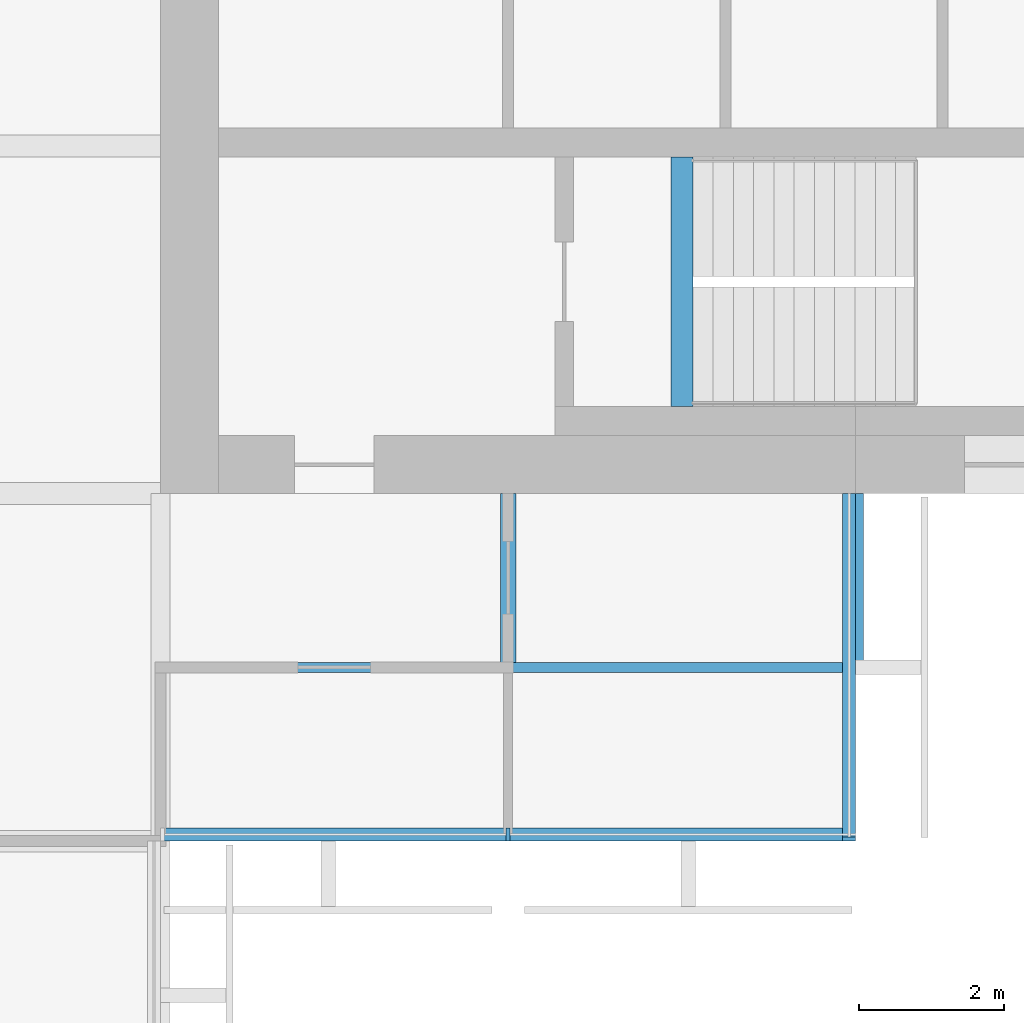
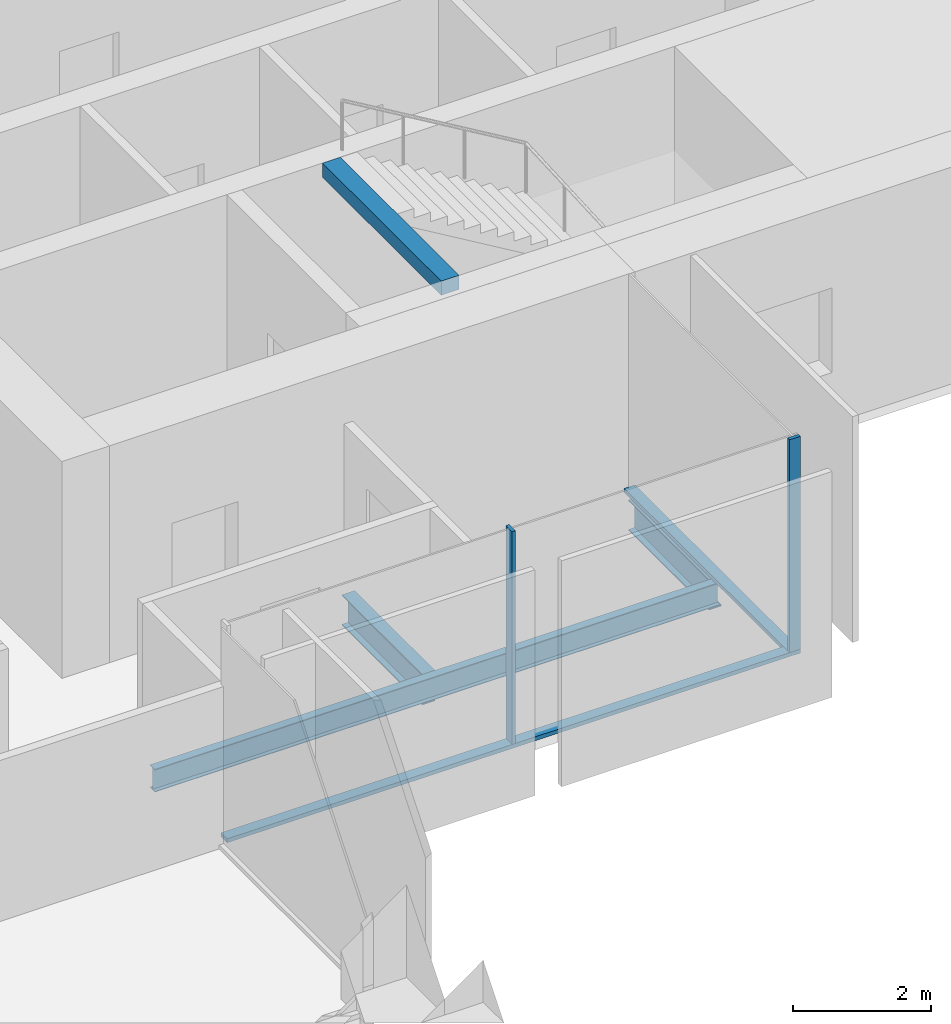
# One storey, part 4 of 13: 4 beams, 4 members, 2 elements without a shape of their own.
"""IFC4 building model written with IfcOpenShell, lengths in metres."""

import ifcopenshell
import ifcopenshell.guid

model = None  # the IFC model being written
_history = None  # IfcOwnerHistory: only IFC2X3 demands one
_inside = {}  # id of a spatial element -> (the spatial element, [elements in it])
_under = {}  # id of a project, library or spatial element -> (it, [spatial elements below it])
_declared = {}  # id of a project -> (the project, [libraries it declares])
_typed = {}  # id of a type object -> (the type object, [elements of that type])
_made_of = {}  # id of a material, layer set ... -> (it, [elements and type objects made of it])


def new_model(schema):
    """Start an empty IFC model of exactly this schema.

    Asked for "IFC4X3", IfcOpenShell would pick the latest addendum, in which some entities
    have other attributes; the version numbers below select the first issue.
    IFC2X3 requires an IfcOwnerHistory on every rooted entity: one is made here for all.
    """
    global model, _history
    if schema == "IFC4X3":
        model = ifcopenshell.file(schema_version=(4, 3, 0, 0))
    else:
        model = ifcopenshell.file(schema=schema)
    _inside.clear()
    _under.clear()
    _declared.clear()
    _typed.clear()
    _made_of.clear()
    _history = None
    if model.schema == "IFC2X3":
        org = make("IfcOrganization", Name="unknown")
        user = make(
            "IfcPersonAndOrganization",
            ThePerson=make("IfcPerson", FamilyName="unknown"),
            TheOrganization=org,
        )
        app = make(
            "IfcApplication",
            ApplicationDeveloper=org,
            Version="unknown",
            ApplicationFullName="unknown",
            ApplicationIdentifier="unknown",
        )
        _history = make(
            "IfcOwnerHistory",
            OwningUser=user,
            OwningApplication=app,
            ChangeAction="ADDED",
            CreationDate=0,
        )
    return model


def make(cls, **values):
    """One entity of the class cls with the attributes given. An attribute that is None is left unset."""
    return model.create_entity(
        cls, **{name: value for name, value in values.items() if value is not None}
    )


def rooted(cls, **values):
    """An entity with a GlobalId (a new one), such as an element, a storey or a relation."""
    return make(cls, GlobalId=ifcopenshell.guid.new(), OwnerHistory=_history, **values)


def si_unit(unit_type, name, prefix=None):
    """IfcSIUnit, for example si_unit("LENGTHUNIT", "METRE", prefix="MILLI")."""
    return make("IfcSIUnit", UnitType=unit_type, Prefix=prefix, Name=name)


def assignment(units):
    """IfcUnitAssignment: the units of a project."""
    return None if units is None else make("IfcUnitAssignment", Units=units)


def point(xyz):
    """IfcCartesianPoint."""
    return None if xyz is None else make("IfcCartesianPoint", Coordinates=xyz)


def direction(xyz):
    """IfcDirection."""
    return None if xyz is None else make("IfcDirection", DirectionRatios=xyz)


def frame(location, z_axis=None, x_axis=None):
    """IfcAxis2Placement3D, a coordinate frame: its origin and axes. An axis left out is left unset."""
    return make(
        "IfcAxis2Placement3D",
        Location=point(location),
        Axis=direction(z_axis),
        RefDirection=direction(x_axis),
    )


def frame_2d(location, x_axis=None):
    """IfcAxis2Placement2D, a coordinate frame in the plane: its origin and x axis."""
    return make(
        "IfcAxis2Placement2D", Location=point(location), RefDirection=direction(x_axis)
    )


def origin():
    """The frame at (0, 0, 0) with its axes left unset."""
    return frame((0.0, 0.0, 0.0))


def origin_2d():
    """The frame at (0, 0) in the plane with its x axis left unset."""
    return frame_2d((0.0, 0.0))


def place(relative_to, where):
    """IfcLocalPlacement: puts the frame where relative to a parent placement (None: the world)."""
    return make(
        "IfcLocalPlacement", PlacementRelTo=relative_to, RelativePlacement=where
    )


def context(
    kind, dimensions, precision=None, world=None, true_north=None, identifier=None
):
    """IfcGeometricRepresentationContext, for example the 3D "Model" context."""
    return make(
        "IfcGeometricRepresentationContext",
        ContextIdentifier=identifier,
        ContextType=kind,
        CoordinateSpaceDimension=dimensions,
        Precision=precision,
        WorldCoordinateSystem=world,
        TrueNorth=true_north,
    )


def subcontext(parent, identifier, kind, view, scale=None):
    """IfcGeometricRepresentationSubContext, for example "Body" below "Model"."""
    return make(
        "IfcGeometricRepresentationSubContext",
        ContextIdentifier=identifier,
        ContextType=kind,
        ParentContext=parent,
        TargetScale=scale,
        TargetView=view,
    )


def project(units=None, contexts=None):
    """IfcProject with its units and contexts."""
    return rooted(
        "IfcProject",
        Name="project",
        RepresentationContexts=contexts,
        UnitsInContext=assignment(units),
    )


def spatial(cls, under=None, at=None, **own):
    """A site, building, storey or space (cls), placed at a placement, below another one or the project."""
    s = rooted(cls, ObjectPlacement=at, **own)
    if under is not None:
        _under.setdefault(under.id(), (under, []))[1].append(s)
    return s


def profile(cls, at=None, kind="AREA", **sizes):
    """A parametric profile (cls). Its sizes go by their IFC names, for example OverallWidth=200.0."""
    return make(cls, ProfileType=kind, Position=at, **sizes)


def rectangle(**sizes):
    """IfcRectangleProfileDef."""
    return profile("IfcRectangleProfileDef", **sizes)


def i_section(**sizes):
    """IfcIShapeProfileDef."""
    return profile("IfcIShapeProfileDef", **sizes)


def extrude(swept, where, along, depth):
    """IfcExtrudedAreaSolid: the profile swept, set in the frame where, extruded along a direction by depth."""
    return make(
        "IfcExtrudedAreaSolid",
        SweptArea=swept,
        Position=where,
        ExtrudedDirection=direction(along),
        Depth=depth,
    )


def shape(context_of_items, identifier, shape_type, items):
    """IfcShapeRepresentation: the items that make up one representation, for example the "Body"."""
    return make(
        "IfcShapeRepresentation",
        ContextOfItems=context_of_items,
        RepresentationIdentifier=identifier,
        RepresentationType=shape_type,
        Items=items,
    )


def material(Name=None, Category=None):
    """IfcMaterial."""
    return make("IfcMaterial", Name=Name, Category=Category)


def material_profile(
    of_material, cross_section, Name=None, Category=None, Priority=None
):
    """IfcMaterialProfile: a cross section and its material."""
    return make(
        "IfcMaterialProfile",
        Name=Name,
        Material=of_material,
        Profile=cross_section,
        Priority=Priority,
        Category=Category,
    )


def profile_set(profiles, Name=None, composite=None):
    """IfcMaterialProfileSet."""
    return make(
        "IfcMaterialProfileSet",
        Name=Name,
        MaterialProfiles=profiles,
        CompositeProfile=composite,
    )


def made_of(thing, what):
    """Note that an element or type object is made of a material, layer set ...; save() writes the relation."""
    if what is not None:
        _made_of.setdefault(what.id(), (what, []))[1].append(thing)
    return thing


def type_object(cls, material=None, **own):
    """A type object (cls), such as IfcWallType, which elements share."""
    return made_of(rooted(cls, **own), material)


def element(
    cls,
    number,
    at=None,
    inside=None,
    cuts=None,
    type_object=None,
    material=None,
    context=None,
    identifier="Body",
    shape_type=None,
    held_by="IfcProductDefinitionShape",
    body=None,
    shapes=None,
    **own,
):
    """One element of the class cls, such as IfcWall. Its Tag is "e" and its number.

    at: its placement. inside: the storey or other place that contains it. cuts: it is an
    opening in that element (IfcRelVoidsElement). A single representation is given by context,
    identifier, shape_type and body (its items); several are given by shapes. held_by: the class
    of the entity that holds the representations. save() writes the other relations.
    """
    e = rooted(cls, Tag="e%d" % number, ObjectPlacement=at, **own)
    if body is not None:
        shapes = [shape(context, identifier, shape_type, body)]
    if shapes is not None:
        e.Representation = make(held_by, Representations=shapes)
    if inside is not None:
        _inside.setdefault(inside.id(), (inside, []))[1].append(e)
    if cuts is not None:
        rooted(
            "IfcRelVoidsElement", RelatingBuildingElement=cuts, RelatedOpeningElement=e
        )
    if type_object is not None:
        _typed.setdefault(type_object.id(), (type_object, []))[1].append(e)
    return made_of(e, material)


def aggregate(whole, parts):
    """IfcRelAggregates: a whole, such as a stair, and the parts it consists of."""
    return rooted("IfcRelAggregates", RelatingObject=whole, RelatedObjects=parts)


def save(model, path):
    """Write the relations noted so far, then the file.

    IfcRelAggregates (storeys below a building ...), IfcRelContainedInSpatialStructure (elements
    in a storey), IfcRelDefinesByType, IfcRelAssociatesMaterial and IfcRelDeclares: one each for
    every whole, place, type object, material and project.
    """
    for whole, parts in _under.values():
        aggregate(whole, parts)
    for where, things in _inside.values():
        rooted(
            "IfcRelContainedInSpatialStructure",
            RelatedElements=things,
            RelatingStructure=where,
        )
    for kind, things in _typed.values():
        rooted("IfcRelDefinesByType", RelatedObjects=things, RelatingType=kind)
    for what, things in _made_of.values():
        rooted("IfcRelAssociatesMaterial", RelatedObjects=things, RelatingMaterial=what)
    for by, libraries in _declared.values():
        rooted("IfcRelDeclares", RelatingContext=by, RelatedDefinitions=libraries)
    model.write(path)


model = new_model("IFC4")

# Units and contexts
model_context = context("Model", 3, precision=1e-05, world=origin(), true_north=direction((0.0, 1.0)))
body_context = subcontext(model_context, "Body", "Model", "MODEL_VIEW")
ifc_project = project(units=[si_unit("LENGTHUNIT", "METRE"), si_unit("AREAUNIT", "SQUARE_METRE"), si_unit("VOLUMEUNIT", "CUBIC_METRE"), si_unit("PLANEANGLEUNIT", "RADIAN"), si_unit("MASSUNIT", "GRAM", prefix="KILO")], contexts=[model_context])

# Site, building, storey
site_placement = place(None, origin())
site = spatial("IfcSite", under=ifc_project, at=site_placement, CompositionType="ELEMENT")
building_placement = place(site_placement, origin())
building = spatial("IfcBuilding", under=site, at=building_placement, Name="Baori Bourse Tower", CompositionType="ELEMENT")
storey_placement = place(building_placement, frame((0.0, 0.0, 229.199951171875)))
storey = spatial("IfcBuildingStorey", under=building, at=storey_placement, Name="L50", CompositionType="ELEMENT", Elevation=229.199951171875)

# Curtain wall, member
ifc_material_1 = material(Name="Pale anodised aluminium", Category="aluminium")
curtain_wall_type = type_object("IfcCurtainWallType", Name="CW2 Curtain wall", PredefinedType="NOTDEFINED", material=ifc_material_1)
curtain_wall_1_placement = place(storey_placement, origin())
curtain_wall_1 = element("IfcCurtainWall", 1, at=curtain_wall_1_placement, inside=storey, type_object=curtain_wall_type, Name="Curtain wall CW2 L50 13", PredefinedType="NOTDEFINED")
ifc_material_2 = material(Name="Pale anodised aluminium", Category="aluminium")
ifc_material_profile_1 = material_profile(ifc_material_2, rectangle(XDim=0.179931640625, YDim=0.054931640625, at=origin_2d()), Name="Mullion 55x180")
ifc_profile_set_1 = profile_set([ifc_material_profile_1], Name="Pale anodised aluminium")
member_type_1 = type_object("IfcMemberType", Name="CW2 Curtain wall mullion", PredefinedType="MULLION", material=ifc_profile_set_1)
member_1_placement = place(storey_placement, frame((43.199951171875, 4.889892578125, 0.070068359375), z_axis=(0.0, 0.0, 1.0), x_axis=(0.0, 1.0, 0.0)))
member_1 = element("IfcMember", 2, at=member_1_placement, type_object=member_type_1, Name="Curtain wall CW2 mullion", PredefinedType="MULLION", context=body_context, shape_type="SweptSolid", body=[
    extrude(rectangle(XDim=0.179931640625, YDim=0.054931640625, at=origin_2d()), origin(), (0.0, 0.0, 1.0), 3.77001953125),
])

curtain_wall_2_placement = place(storey_placement, origin())
curtain_wall_2 = element("IfcCurtainWall", 3, at=curtain_wall_2_placement, inside=storey, type_object=curtain_wall_type, Name="Curtain wall CW2 L50 14", PredefinedType="NOTDEFINED")
member_2_placement = place(storey_placement, frame((47.909912109375, 4.827392578125, 0.070068359375), z_axis=(0.0, 0.0, 1.0), x_axis=(-1.0, 0.0, 0.0)))
member_2 = element("IfcMember", 4, at=member_2_placement, type_object=member_type_1, Name="Curtain wall CW2 mullion", PredefinedType="MULLION", context=body_context, shape_type="SweptSolid", body=[
    extrude(rectangle(XDim=0.179931640625, YDim=0.054931640625, at=origin_2d()), origin(), (0.0, 0.0, 1.0), 3.77001953125),
])

# Member
ifc_material_3 = material(Name="Pale anodised aluminium", Category="aluminium")
ifc_material_profile_2 = material_profile(ifc_material_3, rectangle(XDim=0.179931640625, YDim=0.070068359375, at=origin_2d()), Name="Transom 70x180")
ifc_profile_set_2 = profile_set([ifc_material_profile_2], Name="Pale anodised aluminium")
member_type_2 = type_object("IfcMemberType", Name="CW2 Curtain wall transom", PredefinedType="USERDEFINED", material=ifc_profile_set_2)
member_3_placement = place(storey_placement, frame((38.39990234375, 4.889892578125, 0.03515625), z_axis=(1.0, 0.0, 0.0), x_axis=(0.0, 1.0, 0.0)))
member_3 = element("IfcMember", 5, at=member_3_placement, type_object=member_type_2, Name="Curtain wall CW2 sill rail", ObjectType="TRANSOM", PredefinedType="USERDEFINED", context=body_context, shape_type="SweptSolid", body=[
    extrude(rectangle(XDim=0.179931640625, YDim=0.070068359375, at=origin_2d()), origin(), (0.0, 0.0, 1.0), 9.60009765625),
])

aggregate(curtain_wall_1, [member_3, member_1])

member_4_placement = place(storey_placement, frame((47.909912109375, 4.800048828125, 0.03515625), z_axis=(0.0, 1.0, 0.0), x_axis=(-1.0, 0.0, 0.0)))
member_4 = element("IfcMember", 6, at=member_4_placement, type_object=member_type_2, Name="Curtain wall CW2 sill rail", ObjectType="TRANSOM", PredefinedType="USERDEFINED", context=body_context, shape_type="SweptSolid", body=[
    extrude(rectangle(XDim=0.179931640625, YDim=0.070068359375, at=origin_2d()), origin(), (0.0, 0.0, 1.0), 4.800048828125),
])

aggregate(curtain_wall_2, [member_4, member_2])

# Beams
ifc_material_4 = material(Name="Steel A992 Gr 50", Category="steel")
ifc_material_profile_3 = material_profile(ifc_material_4, i_section(OverallWidth=0.21240234375, OverallDepth=0.54345703125, WebThickness=0.01318359375, FlangeThickness=0.021240234375, at=origin_2d()), Name="W21x83")
ifc_profile_set_3 = profile_set([ifc_material_profile_3], Name="Steel A992 Gr 50")
beam_type_1 = type_object("IfcBeamType", Name="Core bracket W21x83", PredefinedType="BEAM", material=ifc_profile_set_3)
for number, where, z_axis, x_axis, name in (
    (7, (43.199951171875, 7.270263671875, -0.431640625), (0.0, 1.0, 0.0), (-1.0, 0.0, 0.0), "Core bracket L50"),
    (8, (48.0, 7.270263671875, -0.431640625), (0.0, 1.0, 0.0), (-1.0, 0.0, 0.0), "Core bracket L50"),
):
    element("IfcBeam", number, at=place(storey_placement, frame(where, z_axis=z_axis, x_axis=x_axis)), inside=storey, type_object=beam_type_1, Name=name, PredefinedType="BEAM", context=body_context, shape_type="SweptSolid", body=[
        extrude(i_section(OverallWidth=0.21240234375, OverallDepth=0.54345703125, WebThickness=0.01318359375, FlangeThickness=0.021240234375, at=origin_2d()), origin(), (0.0, 0.0, 1.0), 2.329833984375),
    ])
ifc_material_5 = material(Name="Concrete f'c 50 MPa", Category="concrete")
ifc_material_profile_4 = material_profile(ifc_material_5, rectangle(XDim=0.300048828125, YDim=0.25, at=origin_2d()), Name="RC 300x250")
ifc_profile_set_4 = profile_set([ifc_material_profile_4], Name="Concrete f'c 50 MPa")
beam_type_2 = type_object("IfcBeamType", Name="Stair nib beam RC 300x250", PredefinedType="BEAM", material=ifc_profile_set_4)
beam_1_placement = place(storey_placement, frame((45.60009765625, 10.800048828125, 3.715087890625), z_axis=(0.0, 1.0, 0.0), x_axis=(-1.0, 0.0, 0.0)))
element("IfcBeam", 9, at=beam_1_placement, inside=storey, type_object=beam_type_2, Name="Stair EA nib beam L51", PredefinedType="BEAM", context=body_context, shape_type="SweptSolid", body=[
    extrude(rectangle(XDim=0.300048828125, YDim=0.25, at=origin_2d()), origin(), (0.0, 0.0, 1.0), 3.449951171875),
])
ifc_material_6 = material(Name="Steel A992 Gr 50", Category="steel")
ifc_material_profile_5 = material_profile(ifc_material_6, i_section(OverallWidth=0.140380859375, OverallDepth=0.40380859375, WebThickness=0.007080078125, FlangeThickness=0.01123046875, at=origin_2d()), Name="W16x31")
ifc_profile_set_5 = profile_set([ifc_material_profile_5], Name="Steel A992 Gr 50")
beam_type_3 = type_object("IfcBeamType", Name="Trimmer beam W16x31", PredefinedType="BEAM", material=ifc_profile_set_5)
beam_2_placement = place(storey_placement, frame((38.533447265625, 7.199951171875, -0.36181640625), z_axis=(1.0, 0.0, 0.0), x_axis=(0.0, 1.0, 0.0)))
element("IfcBeam", 10, at=beam_2_placement, inside=storey, type_object=beam_type_3, Name="Trimmer beam L50", PredefinedType="BEAM", context=body_context, shape_type="SweptSolid", body=[
    extrude(i_section(OverallWidth=0.140380859375, OverallDepth=0.40380859375, WebThickness=0.007080078125, FlangeThickness=0.01123046875, at=origin_2d()), origin(), (0.0, 0.0, 1.0), 9.466552734375),
])

save(model, "model.ifc")
